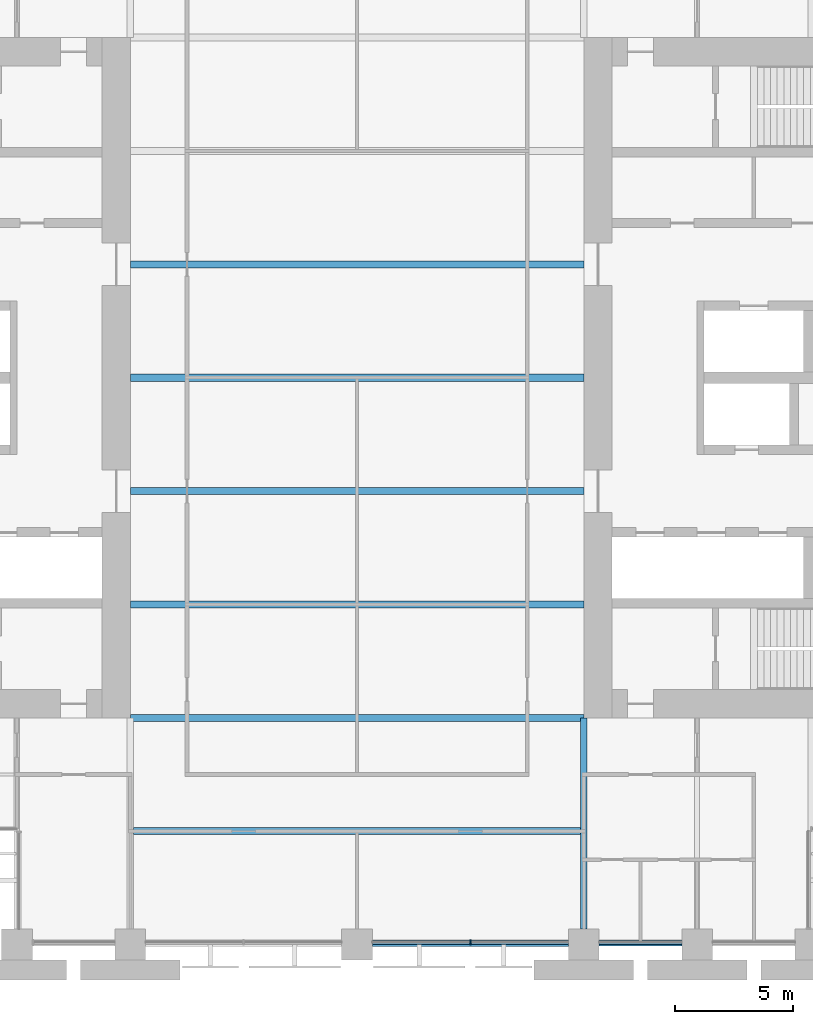
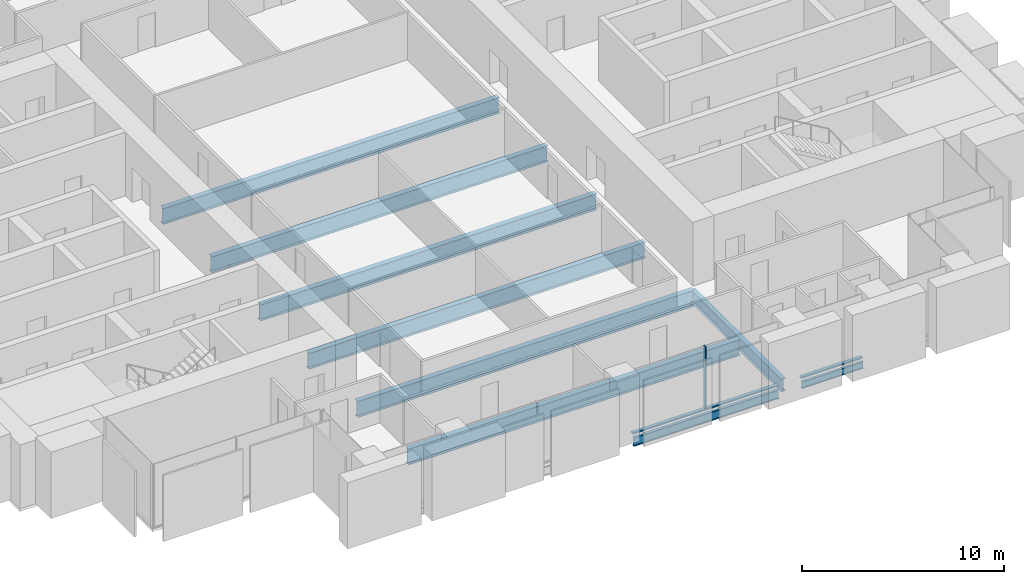
# One storey, part 3 of 14: 9 beams, 3 members, 1 element without a shape of its own.
"""IFC4 building model written with IfcOpenShell, lengths in metres."""

from ifc_helpers import new_model, si_unit, direction, frame, origin, origin_2d, place, context, subcontext, project, spatial, rectangle, i_section, extrude, material, material_profile, profile_set, type_object, element, aggregate, save


model = new_model("IFC4")

# Units and contexts
model_context = context("Model", 3, precision=1e-05, world=origin(), true_north=direction((0.0, 1.0)))
body_context = subcontext(model_context, "Body", "Model", "MODEL_VIEW")
ifc_project = project(units=[si_unit("LENGTHUNIT", "METRE"), si_unit("AREAUNIT", "SQUARE_METRE"), si_unit("VOLUMEUNIT", "CUBIC_METRE"), si_unit("PLANEANGLEUNIT", "RADIAN"), si_unit("MASSUNIT", "GRAM", prefix="KILO")], contexts=[model_context])

# Site, building, storey
site_placement = place(None, origin())
site = spatial("IfcSite", under=ifc_project, at=site_placement, CompositionType="ELEMENT")
building_placement = place(site_placement, origin())
building = spatial("IfcBuilding", under=site, at=building_placement, Name="Baori Bourse Tower", CompositionType="ELEMENT")
storey_placement = place(building_placement, frame((0.0, 0.0, 43.0)))
storey = spatial("IfcBuildingStorey", under=building, at=storey_placement, Name="L08", CompositionType="ELEMENT", Elevation=43.0)

# Curtain wall, members
ifc_material_1 = material(Name="Pale anodised aluminium", Category="aluminium")
curtain_wall_type = type_object("IfcCurtainWallType", Name="CW1 Curtain wall", PredefinedType="NOTDEFINED", material=ifc_material_1)
curtain_wall_placement = place(storey_placement, origin())
curtain_wall = element("IfcCurtainWall", 1, at=curtain_wall_placement, inside=storey, type_object=curtain_wall_type, Name="Curtain wall CW1 L08 11", PredefinedType="NOTDEFINED")
ifc_material_2 = material(Name="Pale anodised aluminium", Category="aluminium")
ifc_material_profile_1 = material_profile(ifc_material_2, rectangle(XDim=0.199951171875, YDim=0.06005859375, at=origin_2d()), Name="Mullion 60x200")
ifc_profile_set_1 = profile_set([ifc_material_profile_1], Name="Pale anodised aluminium")
member_type_1 = type_object("IfcMemberType", Name="CW1 Curtain wall mullion", PredefinedType="MULLION", material=ifc_profile_set_1)
member_1_placement = place(storey_placement, frame((33.60009765625, 0.10009765625, 0.080078125), z_axis=(0.0, 0.0, 1.0), x_axis=(0.0, 1.0, 0.0)))
member_1 = element("IfcMember", 2, at=member_1_placement, type_object=member_type_1, Name="Curtain wall CW1 mullion", PredefinedType="MULLION", context=body_context, shape_type="SweptSolid", body=[
    extrude(rectangle(XDim=0.199951171875, YDim=0.06005859375, at=origin_2d()), origin(), (0.0, 0.0, 1.0), 3.760009765625),
])
ifc_material_3 = material(Name="Pale anodised aluminium", Category="aluminium")
ifc_material_profile_2 = material_profile(ifc_material_3, rectangle(XDim=0.199951171875, YDim=0.080078125, at=origin_2d()), Name="Transom 80x200")
ifc_profile_set_2 = profile_set([ifc_material_profile_2], Name="Pale anodised aluminium")
member_type_2 = type_object("IfcMemberType", Name="CW1 Curtain wall transom", PredefinedType="USERDEFINED", material=ifc_profile_set_2)
member_2_placement = place(storey_placement, frame((29.449951171875, 0.10009765625, 0.0400390625), z_axis=(1.0, 0.0, 0.0), x_axis=(0.0, 1.0, 0.0)))
member_2 = element("IfcMember", 3, at=member_2_placement, type_object=member_type_2, Name="Curtain wall CW1 sill rail", ObjectType="TRANSOM", PredefinedType="USERDEFINED", context=body_context, shape_type="SweptSolid", body=[
    extrude(rectangle(XDim=0.199951171875, YDim=0.080078125, at=origin_2d()), origin(), (0.0, 0.0, 1.0), 8.300048828125),
])
member_3_placement = place(storey_placement, frame((39.050048828125, 0.10009765625, 0.0400390625), z_axis=(1.0, 0.0, 0.0), x_axis=(0.0, 1.0, 0.0)))
member_3 = element("IfcMember", 4, at=member_3_placement, type_object=member_type_2, Name="Curtain wall CW1 sill rail", ObjectType="TRANSOM", PredefinedType="USERDEFINED", context=body_context, shape_type="SweptSolid", body=[
    extrude(rectangle(XDim=0.199951171875, YDim=0.080078125, at=origin_2d()), origin(), (0.0, 0.0, 1.0), 3.5),
])
aggregate(curtain_wall, [member_2, member_1, member_3])

# Beams
ifc_material_4 = material(Name="Steel A992 Gr 50", Category="steel")
ifc_material_profile_3 = material_profile(ifc_material_4, i_section(OverallWidth=0.140380859375, OverallDepth=0.40380859375, WebThickness=0.007080078125, FlangeThickness=0.01123046875, at=origin_2d()), Name="W16x31")
ifc_profile_set_3 = profile_set([ifc_material_profile_3], Name="Steel A992 Gr 50")
beam_type_1 = type_object("IfcBeamType", Name="Edge beam W16x31", PredefinedType="BEAM", material=ifc_profile_set_3)
beam_1_placement = place(storey_placement, frame((39.050048828125, 0.0, -0.36181640625), z_axis=(1.0, 0.0, 0.0), x_axis=(0.0, 1.0, 0.0)))
element("IfcBeam", 5, at=beam_1_placement, inside=storey, type_object=beam_type_1, Name="Edge beam L08", PredefinedType="BEAM", context=body_context, shape_type="SweptSolid", body=[
    extrude(i_section(OverallWidth=0.140380859375, OverallDepth=0.40380859375, WebThickness=0.007080078125, FlangeThickness=0.01123046875, at=origin_2d()), origin(), (0.0, 0.0, 1.0), 3.5),
])
ifc_material_5 = material(Name="Steel A992 Gr 50", Category="steel")
ifc_material_profile_4 = material_profile(ifc_material_5, i_section(OverallWidth=0.1650390625, OverallDepth=0.52587890625, WebThickness=0.0087890625, FlangeThickness=0.011474609375, at=origin_2d()), Name="W21x44")
ifc_profile_set_4 = profile_set([ifc_material_profile_4], Name="Steel A992 Gr 50")
beam_type_2 = type_object("IfcBeamType", Name="Edge beam W21x44", PredefinedType="BEAM", material=ifc_profile_set_4)
beam_2_placement = place(storey_placement, frame((29.449951171875, 0.0, -0.4228515625), z_axis=(1.0, 0.0, 0.0), x_axis=(0.0, 1.0, 0.0)))
element("IfcBeam", 6, at=beam_2_placement, inside=storey, type_object=beam_type_2, Name="Edge beam L08", PredefinedType="BEAM", context=body_context, shape_type="SweptSolid", body=[
    extrude(i_section(OverallWidth=0.1650390625, OverallDepth=0.52587890625, WebThickness=0.0087890625, FlangeThickness=0.011474609375, at=origin_2d()), origin(), (0.0, 0.0, 1.0), 8.300048828125),
])
ifc_material_6 = material(Name="Steel A992 Gr 50", Category="steel")
ifc_material_profile_5 = material_profile(ifc_material_6, i_section(OverallWidth=0.2998046875, OverallDepth=0.97021484375, WebThickness=0.01611328125, FlangeThickness=0.02099609375, at=origin_2d()), Name="W40x149")
ifc_profile_set_5 = profile_set([ifc_material_profile_5], Name="Steel A992 Gr 50")
beam_type_3 = type_object("IfcBeamType", Name="Floor beam W40x149", PredefinedType="BEAM", material=ifc_profile_set_5)
beam_3_placement = place(storey_placement, frame((19.333251953125, 4.800048828125, -0.64501953125), z_axis=(1.0, 0.0, 0.0), x_axis=(0.0, 1.0, 0.0)))
element("IfcBeam", 7, at=beam_3_placement, inside=storey, type_object=beam_type_3, Name="Floor beam L08", PredefinedType="BEAM", context=body_context, shape_type="SweptSolid", body=[
    extrude(i_section(OverallWidth=0.2998046875, OverallDepth=0.97021484375, WebThickness=0.01611328125, FlangeThickness=0.02099609375, at=origin_2d()), origin(), (0.0, 0.0, 1.0), 18.933349609375),
])
for number, where, z_axis, x_axis, name in (
    (8, (19.199951171875, 9.60009765625, -0.64501953125), (1.0, 0.0, 0.0), (0.0, 1.0, 0.0), "Floor beam L08"),
    (9, (19.199951171875, 14.39990234375, -0.64501953125), (1.0, 0.0, 0.0), (0.0, 1.0, 0.0), "Floor beam L08"),
    (10, (19.199951171875, 19.199951171875, -0.64501953125), (1.0, 0.0, 0.0), (0.0, 1.0, 0.0), "Floor beam L08"),
    (11, (19.199951171875, 24.0, -0.64501953125), (1.0, 0.0, 0.0), (0.0, 1.0, 0.0), "Floor beam L08"),
    (12, (19.199951171875, 28.800048828125, -0.64501953125), (1.0, 0.0, 0.0), (0.0, 1.0, 0.0), "Floor beam L08"),
):
    element("IfcBeam", number, at=place(storey_placement, frame(where, z_axis=z_axis, x_axis=x_axis)), inside=storey, type_object=beam_type_3, Name=name, PredefinedType="BEAM", context=body_context, shape_type="SweptSolid", body=[
        extrude(i_section(OverallWidth=0.2998046875, OverallDepth=0.97021484375, WebThickness=0.01611328125, FlangeThickness=0.02099609375, at=origin_2d()), origin(), (0.0, 0.0, 1.0), 19.199951171875),
    ])
ifc_material_7 = material(Name="Steel A992 Gr 50", Category="steel")
ifc_material_profile_6 = material_profile(ifc_material_7, i_section(OverallWidth=0.2666015625, OverallDepth=0.7568359375, WebThickness=0.013916015625, FlangeThickness=0.019287109375, at=origin_2d()), Name="W30x108")
ifc_profile_set_6 = profile_set([ifc_material_profile_6], Name="Steel A992 Gr 50")
beam_type_4 = type_object("IfcBeamType", Name="Girder W30x108", PredefinedType="BEAM", material=ifc_profile_set_6)
beam_4_placement = place(storey_placement, frame((38.39990234375, 0.64990234375, -0.53857421875), z_axis=(0.0, 1.0, 0.0), x_axis=(-1.0, 0.0, 0.0)))
element("IfcBeam", 13, at=beam_4_placement, inside=storey, type_object=beam_type_4, Name="Girder L08", PredefinedType="BEAM", context=body_context, shape_type="SweptSolid", body=[
    extrude(i_section(OverallWidth=0.2666015625, OverallDepth=0.7568359375, WebThickness=0.013916015625, FlangeThickness=0.019287109375, at=origin_2d()), origin(), (0.0, 0.0, 1.0), 8.9501953125),
])

save(model, "model.ifc")
